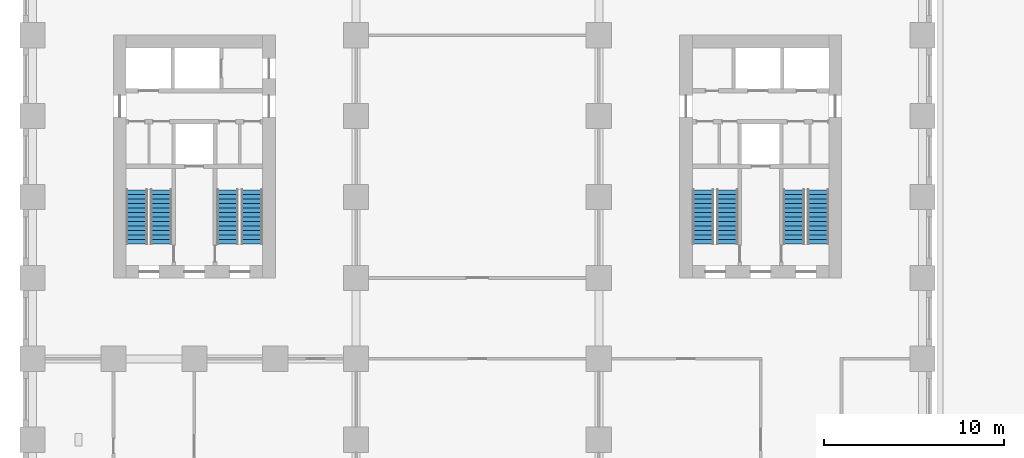
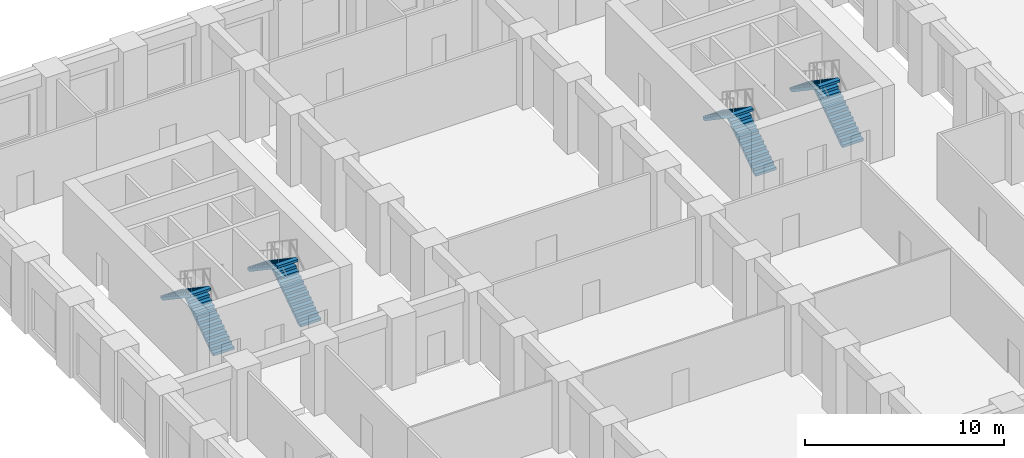
# One storey, part 9 of 14: 8 stair flights, 4 elements without a shape of their own.
"""IFC4 building model written with IfcOpenShell, lengths in metres."""

from ifc_helpers import new_model, si_unit, direction, frame, origin, place, context, subcontext, project, spatial, polyline, outline, extrude, material, type_object, element, aggregate, save


model = new_model("IFC4")

# Units and contexts
model_context = context("Model", 3, precision=1e-05, world=origin(), true_north=direction((0.0, 1.0)))
body_context = subcontext(model_context, "Body", "Model", "MODEL_VIEW")
ifc_project = project(units=[si_unit("LENGTHUNIT", "METRE"), si_unit("AREAUNIT", "SQUARE_METRE"), si_unit("VOLUMEUNIT", "CUBIC_METRE"), si_unit("PLANEANGLEUNIT", "RADIAN"), si_unit("MASSUNIT", "GRAM", prefix="KILO")], contexts=[model_context])

# Site, building, storey
site_placement = place(None, origin())
site = spatial("IfcSite", under=ifc_project, at=site_placement, CompositionType="ELEMENT")
building_placement = place(site_placement, origin())
building = spatial("IfcBuilding", under=site, at=building_placement, Name="Girih Gate Residences", CompositionType="ELEMENT")
storey_placement = place(building_placement, frame((0.0, 0.0, 26.0)))
storey = spatial("IfcBuildingStorey", under=building, at=storey_placement, Name="L05", CompositionType="ELEMENT", Elevation=26.0)

# Stair, stair flights
ifc_material = material(Name="Concrete C40/50", Category="concrete")
stair_type = type_object("IfcStairType", Name="Exit stair", PredefinedType="HALF_TURN_STAIR", material=ifc_material)
stair_1_placement = place(storey_placement, origin())
stair_1 = element("IfcStair", 1, at=stair_1_placement, inside=storey, type_object=stair_type, Name="L05 Exit Stair ST-W1", PredefinedType="HALF_TURN_STAIR")
stair_flight_type = type_object("IfcStairFlightType", Name="Stair flight 1200", PredefinedType="STRAIGHT", material=ifc_material)
stair_flight_1_placement = place(storey_placement, frame((7.14990234375, 28.89990234375, 0.0), z_axis=(0.0, 0.0, 1.0), x_axis=(0.0, 1.0, 0.0)))
stair_flight_1 = element("IfcStairFlight", 2, at=stair_flight_1_placement, type_object=stair_flight_type, Name="ST-W1 flight 1", NumberOfRisers=13, NumberOfTreads=12, PredefinedType="STRAIGHT", RiserHeight=0.169230769, TreadLength=0.25, context=body_context, shape_type="SweptSolid", body=[
    extrude(outline(polyline([(0.0, 0.0), (0.0, 0.169189453125), (0.25, 0.169189453125), (0.25, 0.33837890625), (0.5, 0.33837890625), (0.5, 0.5078125), (0.75, 0.5078125), (0.75, 0.677001953125), (1.0, 0.677001953125), (1.0, 0.84619140625), (1.25, 0.84619140625), (1.25, 1.015380859375), (1.5, 1.015380859375), (1.5, 1.1845703125), (1.75, 1.1845703125), (1.75, 1.353759765625), (2.0, 1.353759765625), (2.0, 1.523193359375), (2.25, 1.523193359375), (2.25, 1.6923828125), (2.5, 1.6923828125), (2.5, 1.861572265625), (2.75, 1.861572265625), (2.75, 2.03076171875), (3.0, 2.03076171875), (3.0, 2.199951171875), (3.0, 1.8857421875), (0.21435546875, 0.0), (0.0, 0.0)])), frame((0.0, 0.60009765625, 0.0), z_axis=(0.0, -1.0, 0.0), x_axis=(1.0, 0.0, 0.0)), (0.0, 0.0, 1.0), 1.199951171875),
])
stair_flight_2_placement = place(storey_placement, frame((5.800048828125, 31.89990234375, 2.199951171875), z_axis=(0.0, 0.0, 1.0), x_axis=(0.0, -1.0, 0.0)))
stair_flight_2 = element("IfcStairFlight", 3, at=stair_flight_2_placement, type_object=stair_flight_type, Name="ST-W1 flight 2", NumberOfRisers=13, NumberOfTreads=12, PredefinedType="STRAIGHT", RiserHeight=0.169230769, TreadLength=0.25, context=body_context, shape_type="SweptSolid", body=[
    extrude(outline(polyline([(0.0, 0.0), (0.0, 0.169189453125), (0.25, 0.169189453125), (0.25, 0.33837890625), (0.5, 0.33837890625), (0.5, 0.5078125), (0.75, 0.5078125), (0.75, 0.677001953125), (1.0, 0.677001953125), (1.0, 0.84619140625), (1.25, 0.84619140625), (1.25, 1.015380859375), (1.5, 1.015380859375), (1.5, 1.1845703125), (1.75, 1.1845703125), (1.75, 1.353759765625), (2.0, 1.353759765625), (2.0, 1.523193359375), (2.25, 1.523193359375), (2.25, 1.6923828125), (2.5, 1.6923828125), (2.5, 1.861572265625), (2.75, 1.861572265625), (2.75, 2.03076171875), (3.0, 2.03076171875), (3.0, 2.199951171875), (3.0, 1.8857421875), (0.21435546875, 0.0), (0.0, 0.0)])), frame((0.0, 0.60009765625, 0.0), z_axis=(0.0, -1.0, 0.0), x_axis=(1.0, 0.0, 0.0)), (0.0, 0.0, 1.0), 1.199951171875),
])
aggregate(stair_1, [stair_flight_1, stair_flight_2])

stair_2_placement = place(storey_placement, origin())
stair_2 = element("IfcStair", 4, at=stair_2_placement, inside=storey, type_object=stair_type, Name="L05 Exit Stair ST-W2", PredefinedType="HALF_TURN_STAIR")
stair_flight_3_placement = place(storey_placement, frame((12.199951171875, 28.89990234375, 0.0), z_axis=(0.0, 0.0, 1.0), x_axis=(0.0, 1.0, 0.0)))
stair_flight_3 = element("IfcStairFlight", 5, at=stair_flight_3_placement, type_object=stair_flight_type, Name="ST-W2 flight 1", NumberOfRisers=13, NumberOfTreads=12, PredefinedType="STRAIGHT", RiserHeight=0.169230769, TreadLength=0.25, context=body_context, shape_type="SweptSolid", body=[
    extrude(outline(polyline([(0.0, 0.0), (0.0, 0.169189453125), (0.25, 0.169189453125), (0.25, 0.33837890625), (0.5, 0.33837890625), (0.5, 0.5078125), (0.75, 0.5078125), (0.75, 0.677001953125), (1.0, 0.677001953125), (1.0, 0.84619140625), (1.25, 0.84619140625), (1.25, 1.015380859375), (1.5, 1.015380859375), (1.5, 1.1845703125), (1.75, 1.1845703125), (1.75, 1.353759765625), (2.0, 1.353759765625), (2.0, 1.523193359375), (2.25, 1.523193359375), (2.25, 1.6923828125), (2.5, 1.6923828125), (2.5, 1.861572265625), (2.75, 1.861572265625), (2.75, 2.03076171875), (3.0, 2.03076171875), (3.0, 2.199951171875), (3.0, 1.8857421875), (0.21435546875, 0.0), (0.0, 0.0)])), frame((0.0, 0.60009765625, 0.0), z_axis=(0.0, -1.0, 0.0), x_axis=(1.0, 0.0, 0.0)), (0.0, 0.0, 1.0), 1.199951171875),
])
stair_flight_4_placement = place(storey_placement, frame((10.85009765625, 31.89990234375, 2.199951171875), z_axis=(0.0, 0.0, 1.0), x_axis=(0.0, -1.0, 0.0)))
stair_flight_4 = element("IfcStairFlight", 6, at=stair_flight_4_placement, type_object=stair_flight_type, Name="ST-W2 flight 2", NumberOfRisers=13, NumberOfTreads=12, PredefinedType="STRAIGHT", RiserHeight=0.169230769, TreadLength=0.25, context=body_context, shape_type="SweptSolid", body=[
    extrude(outline(polyline([(0.0, 0.0), (0.0, 0.169189453125), (0.25, 0.169189453125), (0.25, 0.33837890625), (0.5, 0.33837890625), (0.5, 0.5078125), (0.75, 0.5078125), (0.75, 0.677001953125), (1.0, 0.677001953125), (1.0, 0.84619140625), (1.25, 0.84619140625), (1.25, 1.015380859375), (1.5, 1.015380859375), (1.5, 1.1845703125), (1.75, 1.1845703125), (1.75, 1.353759765625), (2.0, 1.353759765625), (2.0, 1.523193359375), (2.25, 1.523193359375), (2.25, 1.6923828125), (2.5, 1.6923828125), (2.5, 1.861572265625), (2.75, 1.861572265625), (2.75, 2.03076171875), (3.0, 2.03076171875), (3.0, 2.199951171875), (3.0, 1.8857421875), (0.21435546875, 0.0), (0.0, 0.0)])), frame((0.0, 0.60009765625, 0.0), z_axis=(0.0, -1.0, 0.0), x_axis=(1.0, 0.0, 0.0)), (0.0, 0.0, 1.0), 1.199951171875),
])
aggregate(stair_2, [stair_flight_3, stair_flight_4])

stair_3_placement = place(storey_placement, origin())
stair_3 = element("IfcStair", 7, at=stair_3_placement, inside=storey, type_object=stair_type, Name="L05 Exit Stair ST-E1", PredefinedType="HALF_TURN_STAIR")
stair_flight_5_placement = place(storey_placement, frame((43.699951171875, 28.89990234375, 0.0), z_axis=(0.0, 0.0, 1.0), x_axis=(0.0, 1.0, 0.0)))
stair_flight_5 = element("IfcStairFlight", 8, at=stair_flight_5_placement, type_object=stair_flight_type, Name="ST-E1 flight 1", NumberOfRisers=13, NumberOfTreads=12, PredefinedType="STRAIGHT", RiserHeight=0.169230769, TreadLength=0.25, context=body_context, shape_type="SweptSolid", body=[
    extrude(outline(polyline([(0.0, 0.0), (0.0, 0.169189453125), (0.25, 0.169189453125), (0.25, 0.33837890625), (0.5, 0.33837890625), (0.5, 0.5078125), (0.75, 0.5078125), (0.75, 0.677001953125), (1.0, 0.677001953125), (1.0, 0.84619140625), (1.25, 0.84619140625), (1.25, 1.015380859375), (1.5, 1.015380859375), (1.5, 1.1845703125), (1.75, 1.1845703125), (1.75, 1.353759765625), (2.0, 1.353759765625), (2.0, 1.523193359375), (2.25, 1.523193359375), (2.25, 1.6923828125), (2.5, 1.6923828125), (2.5, 1.861572265625), (2.75, 1.861572265625), (2.75, 2.03076171875), (3.0, 2.03076171875), (3.0, 2.199951171875), (3.0, 1.8857421875), (0.21435546875, 0.0), (0.0, 0.0)])), frame((0.0, 0.60009765625, 0.0), z_axis=(0.0, -1.0, 0.0), x_axis=(1.0, 0.0, 0.0)), (0.0, 0.0, 1.0), 1.199951171875),
])
stair_flight_6_placement = place(storey_placement, frame((42.35009765625, 31.89990234375, 2.199951171875), z_axis=(0.0, 0.0, 1.0), x_axis=(0.0, -1.0, 0.0)))
stair_flight_6 = element("IfcStairFlight", 9, at=stair_flight_6_placement, type_object=stair_flight_type, Name="ST-E1 flight 2", NumberOfRisers=13, NumberOfTreads=12, PredefinedType="STRAIGHT", RiserHeight=0.169230769, TreadLength=0.25, context=body_context, shape_type="SweptSolid", body=[
    extrude(outline(polyline([(0.0, 0.0), (0.0, 0.169189453125), (0.25, 0.169189453125), (0.25, 0.33837890625), (0.5, 0.33837890625), (0.5, 0.5078125), (0.75, 0.5078125), (0.75, 0.677001953125), (1.0, 0.677001953125), (1.0, 0.84619140625), (1.25, 0.84619140625), (1.25, 1.015380859375), (1.5, 1.015380859375), (1.5, 1.1845703125), (1.75, 1.1845703125), (1.75, 1.353759765625), (2.0, 1.353759765625), (2.0, 1.523193359375), (2.25, 1.523193359375), (2.25, 1.6923828125), (2.5, 1.6923828125), (2.5, 1.861572265625), (2.75, 1.861572265625), (2.75, 2.03076171875), (3.0, 2.03076171875), (3.0, 2.199951171875), (3.0, 1.8857421875), (0.21435546875, 0.0), (0.0, 0.0)])), frame((0.0, 0.60009765625, 0.0), z_axis=(0.0, -1.0, 0.0), x_axis=(1.0, 0.0, 0.0)), (0.0, 0.0, 1.0), 1.199951171875),
])
aggregate(stair_3, [stair_flight_5, stair_flight_6])

stair_4_placement = place(storey_placement, origin())
stair_4 = element("IfcStair", 10, at=stair_4_placement, inside=storey, type_object=stair_type, Name="L05 Exit Stair ST-E2", PredefinedType="HALF_TURN_STAIR")
stair_flight_7_placement = place(storey_placement, frame((38.64990234375, 28.89990234375, 0.0), z_axis=(0.0, 0.0, 1.0), x_axis=(0.0, 1.0, 0.0)))
stair_flight_7 = element("IfcStairFlight", 11, at=stair_flight_7_placement, type_object=stair_flight_type, Name="ST-E2 flight 1", NumberOfRisers=13, NumberOfTreads=12, PredefinedType="STRAIGHT", RiserHeight=0.169230769, TreadLength=0.25, context=body_context, shape_type="SweptSolid", body=[
    extrude(outline(polyline([(0.0, 0.0), (0.0, 0.169189453125), (0.25, 0.169189453125), (0.25, 0.33837890625), (0.5, 0.33837890625), (0.5, 0.5078125), (0.75, 0.5078125), (0.75, 0.677001953125), (1.0, 0.677001953125), (1.0, 0.84619140625), (1.25, 0.84619140625), (1.25, 1.015380859375), (1.5, 1.015380859375), (1.5, 1.1845703125), (1.75, 1.1845703125), (1.75, 1.353759765625), (2.0, 1.353759765625), (2.0, 1.523193359375), (2.25, 1.523193359375), (2.25, 1.6923828125), (2.5, 1.6923828125), (2.5, 1.861572265625), (2.75, 1.861572265625), (2.75, 2.03076171875), (3.0, 2.03076171875), (3.0, 2.199951171875), (3.0, 1.8857421875), (0.21435546875, 0.0), (0.0, 0.0)])), frame((0.0, 0.60009765625, 0.0), z_axis=(0.0, -1.0, 0.0), x_axis=(1.0, 0.0, 0.0)), (0.0, 0.0, 1.0), 1.199951171875),
])
stair_flight_8_placement = place(storey_placement, frame((37.300048828125, 31.89990234375, 2.199951171875), z_axis=(0.0, 0.0, 1.0), x_axis=(0.0, -1.0, 0.0)))
stair_flight_8 = element("IfcStairFlight", 12, at=stair_flight_8_placement, type_object=stair_flight_type, Name="ST-E2 flight 2", NumberOfRisers=13, NumberOfTreads=12, PredefinedType="STRAIGHT", RiserHeight=0.169230769, TreadLength=0.25, context=body_context, shape_type="SweptSolid", body=[
    extrude(outline(polyline([(0.0, 0.0), (0.0, 0.169189453125), (0.25, 0.169189453125), (0.25, 0.33837890625), (0.5, 0.33837890625), (0.5, 0.5078125), (0.75, 0.5078125), (0.75, 0.677001953125), (1.0, 0.677001953125), (1.0, 0.84619140625), (1.25, 0.84619140625), (1.25, 1.015380859375), (1.5, 1.015380859375), (1.5, 1.1845703125), (1.75, 1.1845703125), (1.75, 1.353759765625), (2.0, 1.353759765625), (2.0, 1.523193359375), (2.25, 1.523193359375), (2.25, 1.6923828125), (2.5, 1.6923828125), (2.5, 1.861572265625), (2.75, 1.861572265625), (2.75, 2.03076171875), (3.0, 2.03076171875), (3.0, 2.199951171875), (3.0, 1.8857421875), (0.21435546875, 0.0), (0.0, 0.0)])), frame((0.0, 0.60009765625, 0.0), z_axis=(0.0, -1.0, 0.0), x_axis=(1.0, 0.0, 0.0)), (0.0, 0.0, 1.0), 1.199951171875),
])
aggregate(stair_4, [stair_flight_7, stair_flight_8])

save(model, "model.ifc")
